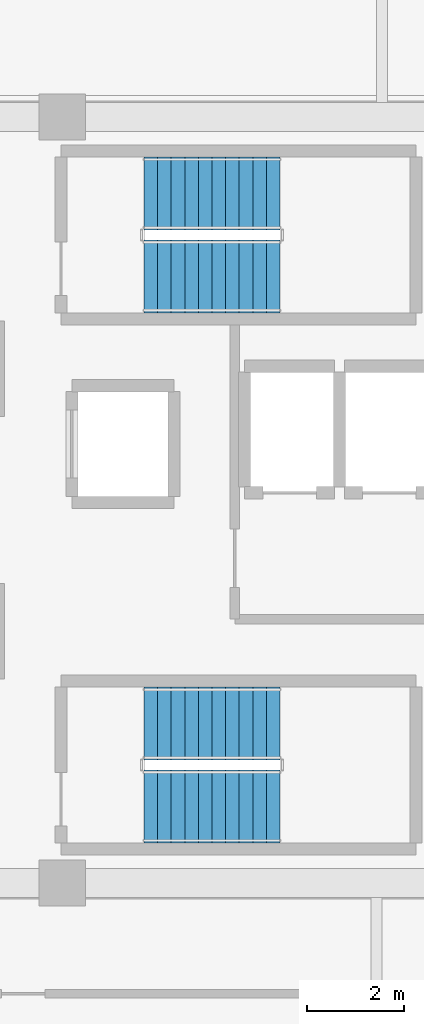
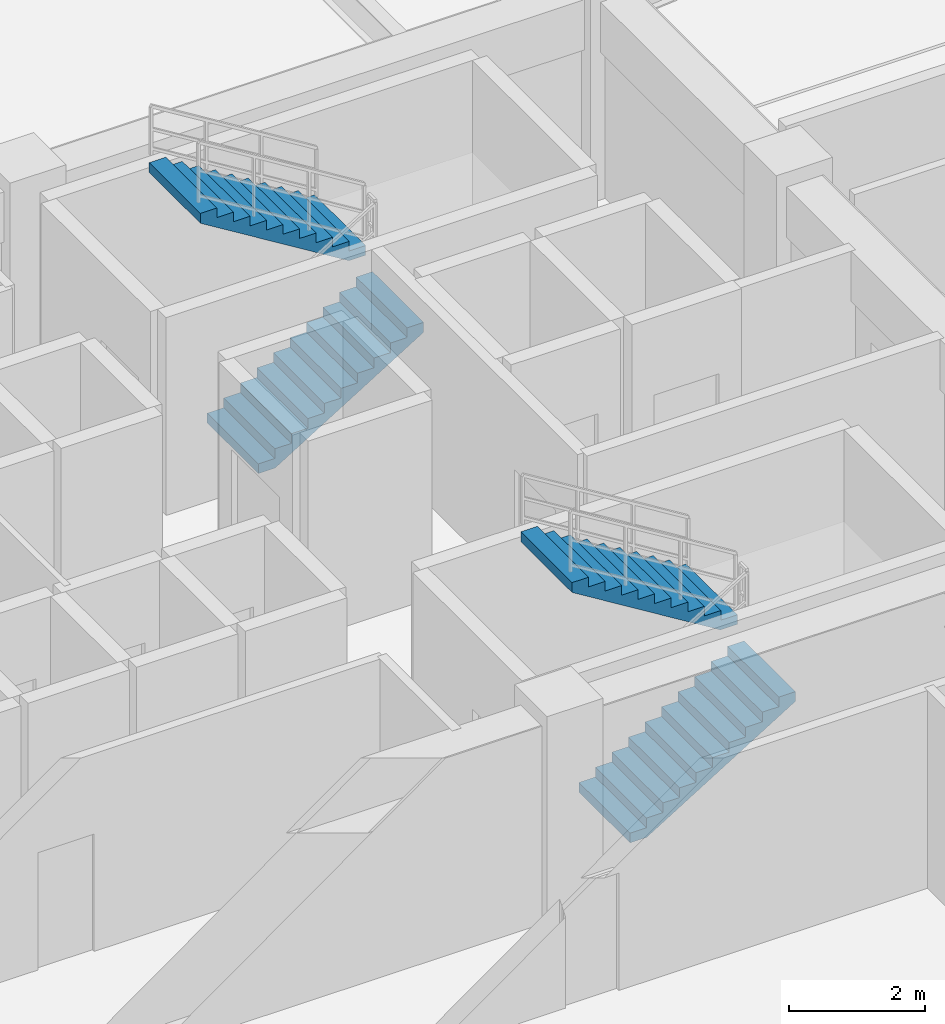
# One storey, part 6 of 8: 4 stair flights, 2 elements without a shape of their own.
"""IFC4 building model written with IfcOpenShell, lengths in metres."""

from ifc_helpers import new_model, si_unit, direction, frame, origin, place, context, subcontext, project, spatial, polyline, outline, extrude, material, type_object, element, aggregate, save


model = new_model("IFC4")

# Units and contexts
model_context = context("Model", 3, precision=1e-05, world=origin(), true_north=direction((0.0, 1.0)))
body_context = subcontext(model_context, "Body", "Model", "MODEL_VIEW")
ifc_project = project(units=[si_unit("LENGTHUNIT", "METRE"), si_unit("AREAUNIT", "SQUARE_METRE"), si_unit("VOLUMEUNIT", "CUBIC_METRE"), si_unit("PLANEANGLEUNIT", "RADIAN"), si_unit("MASSUNIT", "GRAM", prefix="KILO")], contexts=[model_context])

# Site, building, storey
site_placement = place(None, origin())
site = spatial("IfcSite", under=ifc_project, at=site_placement, CompositionType="ELEMENT")
building_placement = place(site_placement, origin())
building = spatial("IfcBuilding", under=site, at=building_placement, Name="Zulverin Broadcast Headquarters", CompositionType="ELEMENT")
storey_placement = place(building_placement, frame((0.0, 0.0, 151.60009765625)))
storey = spatial("IfcBuildingStorey", under=building, at=storey_placement, Name="L38", CompositionType="ELEMENT", Elevation=151.60009765625)

# Stair, stair flights
ifc_material = material(Name="Concrete C40/50", Category="concrete")
stair_type = type_object("IfcStairType", Name="ST-CORE-1500", PredefinedType="HALF_TURN_STAIR", material=ifc_material)
stair_1_placement = place(storey_placement, origin())
stair_1 = element("IfcStair", 1, at=stair_1_placement, inside=storey, type_object=stair_type, Name="L38 Core Exit Stair ST-1", PredefinedType="HALF_TURN_STAIR")
stair_flight_type = type_object("IfcStairFlightType", Name="SF-CORE-1500", PredefinedType="STRAIGHT", material=ifc_material)
stair_flight_1_placement = place(storey_placement, frame((40.1298828125, 29.800048828125, 0.0), z_axis=(0.0, 0.0, 1.0), x_axis=(1.0, 0.0, 0.0)))
stair_flight_1 = element("IfcStairFlight", 2, at=stair_flight_1_placement, type_object=stair_flight_type, Name="ST-1 flight 1", NumberOfRisers=11, NumberOfTreads=10, PredefinedType="STRAIGHT", RiserHeight=0.172727273, TreadLength=0.28, context=body_context, shape_type="SweptSolid", body=[
    extrude(outline(polyline([(0.0, 0.0), (0.0, 0.172607421875), (0.280029296875, 0.172607421875), (0.280029296875, 0.345458984375), (0.56005859375, 0.345458984375), (0.56005859375, 0.51806640625), (0.840087890625, 0.51806640625), (0.840087890625, 0.69091796875), (1.1201171875, 0.69091796875), (1.1201171875, 0.863525390625), (1.39990234375, 0.863525390625), (1.39990234375, 1.036376953125), (1.679931640625, 1.036376953125), (1.679931640625, 1.208984375), (1.9599609375, 1.208984375), (1.9599609375, 1.3818359375), (2.239990234375, 1.3818359375), (2.239990234375, 1.554443359375), (2.52001953125, 1.554443359375), (2.52001953125, 1.727294921875), (2.800048828125, 1.727294921875), (2.800048828125, 1.89990234375), (2.800048828125, 1.551025390625), (0.285400390625, 0.0), (0.0, 0.0)])), frame((0.0, 0.75, 0.0), z_axis=(0.0, -1.0, 0.0), x_axis=(1.0, 0.0, 0.0)), (0.0, 0.0, 1.0), 1.5),
])
stair_flight_2_placement = place(storey_placement, frame((42.929931640625, 31.5, 1.89990234375), z_axis=(0.0, 0.0, 1.0), x_axis=(-1.0, 0.0, 0.0)))
stair_flight_2 = element("IfcStairFlight", 3, at=stair_flight_2_placement, type_object=stair_flight_type, Name="ST-1 flight 2", NumberOfRisers=11, NumberOfTreads=10, PredefinedType="STRAIGHT", RiserHeight=0.172727273, TreadLength=0.28, context=body_context, shape_type="SweptSolid", body=[
    extrude(outline(polyline([(0.0, 0.0), (0.0, 0.172607421875), (0.280029296875, 0.172607421875), (0.280029296875, 0.345458984375), (0.56005859375, 0.345458984375), (0.56005859375, 0.51806640625), (0.840087890625, 0.51806640625), (0.840087890625, 0.69091796875), (1.1201171875, 0.69091796875), (1.1201171875, 0.863525390625), (1.39990234375, 0.863525390625), (1.39990234375, 1.036376953125), (1.679931640625, 1.036376953125), (1.679931640625, 1.208984375), (1.9599609375, 1.208984375), (1.9599609375, 1.3818359375), (2.239990234375, 1.3818359375), (2.239990234375, 1.554443359375), (2.52001953125, 1.554443359375), (2.52001953125, 1.727294921875), (2.800048828125, 1.727294921875), (2.800048828125, 1.89990234375), (2.800048828125, 1.551025390625), (0.285400390625, 0.0), (0.0, 0.0)])), frame((0.0, 0.75, 0.0), z_axis=(0.0, -1.0, 0.0), x_axis=(1.0, 0.0, 0.0)), (0.0, 0.0, 1.0), 1.5),
])
aggregate(stair_1, [stair_flight_1, stair_flight_2])

stair_2_placement = place(storey_placement, origin())
stair_2 = element("IfcStair", 4, at=stair_2_placement, inside=storey, type_object=stair_type, Name="L38 Core Exit Stair ST-2", PredefinedType="HALF_TURN_STAIR")
stair_flight_3_placement = place(storey_placement, frame((40.1298828125, 18.89990234375, 0.0), z_axis=(0.0, 0.0, 1.0), x_axis=(1.0, 0.0, 0.0)))
stair_flight_3 = element("IfcStairFlight", 5, at=stair_flight_3_placement, type_object=stair_flight_type, Name="ST-2 flight 1", NumberOfRisers=11, NumberOfTreads=10, PredefinedType="STRAIGHT", RiserHeight=0.172727273, TreadLength=0.28, context=body_context, shape_type="SweptSolid", body=[
    extrude(outline(polyline([(0.0, 0.0), (0.0, 0.172607421875), (0.280029296875, 0.172607421875), (0.280029296875, 0.345458984375), (0.56005859375, 0.345458984375), (0.56005859375, 0.51806640625), (0.840087890625, 0.51806640625), (0.840087890625, 0.69091796875), (1.1201171875, 0.69091796875), (1.1201171875, 0.863525390625), (1.39990234375, 0.863525390625), (1.39990234375, 1.036376953125), (1.679931640625, 1.036376953125), (1.679931640625, 1.208984375), (1.9599609375, 1.208984375), (1.9599609375, 1.3818359375), (2.239990234375, 1.3818359375), (2.239990234375, 1.554443359375), (2.52001953125, 1.554443359375), (2.52001953125, 1.727294921875), (2.800048828125, 1.727294921875), (2.800048828125, 1.89990234375), (2.800048828125, 1.551025390625), (0.285400390625, 0.0), (0.0, 0.0)])), frame((0.0, 0.75, 0.0), z_axis=(0.0, -1.0, 0.0), x_axis=(1.0, 0.0, 0.0)), (0.0, 0.0, 1.0), 1.5),
])
stair_flight_4_placement = place(storey_placement, frame((42.929931640625, 20.60009765625, 1.89990234375), z_axis=(0.0, 0.0, 1.0), x_axis=(-1.0, 0.0, 0.0)))
stair_flight_4 = element("IfcStairFlight", 6, at=stair_flight_4_placement, type_object=stair_flight_type, Name="ST-2 flight 2", NumberOfRisers=11, NumberOfTreads=10, PredefinedType="STRAIGHT", RiserHeight=0.172727273, TreadLength=0.28, context=body_context, shape_type="SweptSolid", body=[
    extrude(outline(polyline([(0.0, 0.0), (0.0, 0.172607421875), (0.280029296875, 0.172607421875), (0.280029296875, 0.345458984375), (0.56005859375, 0.345458984375), (0.56005859375, 0.51806640625), (0.840087890625, 0.51806640625), (0.840087890625, 0.69091796875), (1.1201171875, 0.69091796875), (1.1201171875, 0.863525390625), (1.39990234375, 0.863525390625), (1.39990234375, 1.036376953125), (1.679931640625, 1.036376953125), (1.679931640625, 1.208984375), (1.9599609375, 1.208984375), (1.9599609375, 1.3818359375), (2.239990234375, 1.3818359375), (2.239990234375, 1.554443359375), (2.52001953125, 1.554443359375), (2.52001953125, 1.727294921875), (2.800048828125, 1.727294921875), (2.800048828125, 1.89990234375), (2.800048828125, 1.551025390625), (0.285400390625, 0.0), (0.0, 0.0)])), frame((0.0, 0.75, 0.0), z_axis=(0.0, -1.0, 0.0), x_axis=(1.0, 0.0, 0.0)), (0.0, 0.0, 1.0), 1.5),
])
aggregate(stair_2, [stair_flight_3, stair_flight_4])

save(model, "model.ifc")
